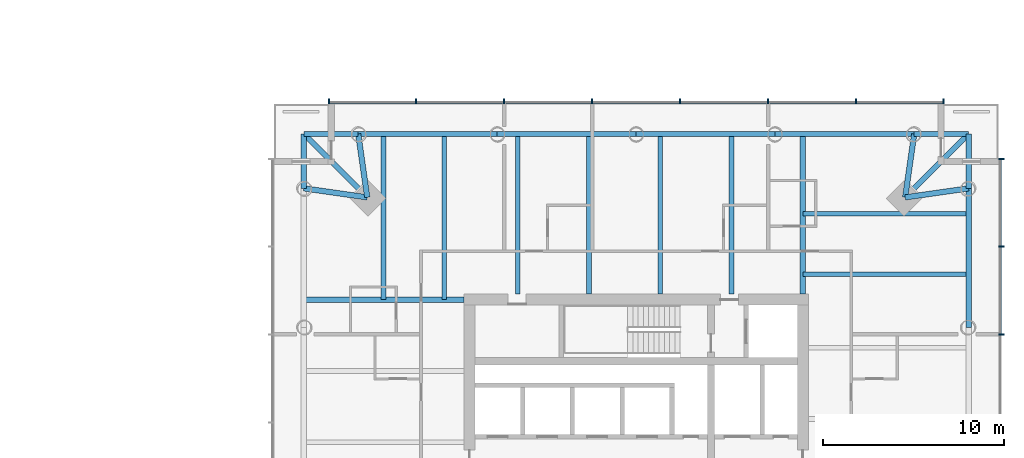
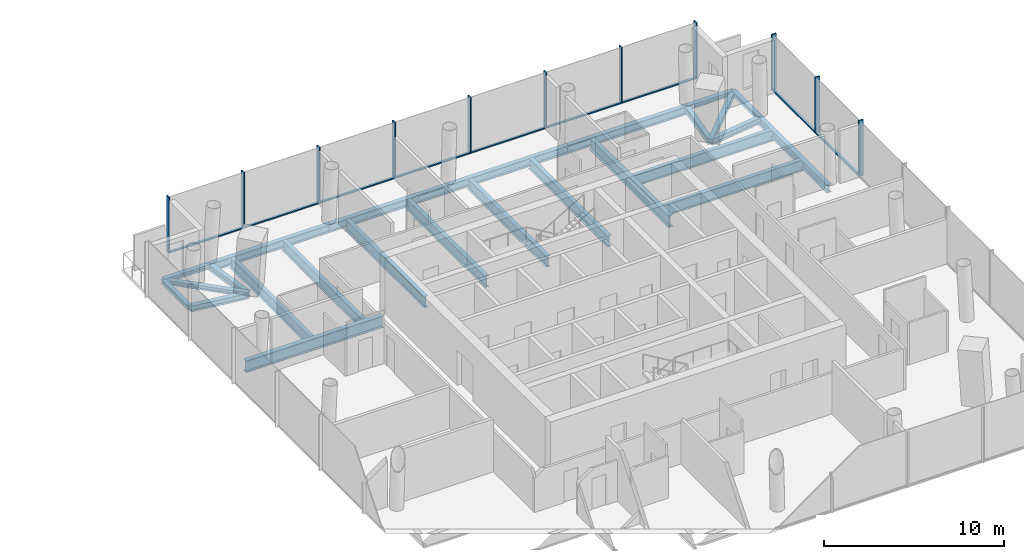
# One storey, part 6 of 26: 25 beams, 20 members, 2 elements without a shape of their own.
"""IFC4 building model written with IfcOpenShell, lengths in metres."""

from ifc_helpers import new_model, si_unit, direction, frame, origin, origin_2d, place, context, subcontext, project, spatial, rectangle, i_section, extrude, material, material_profile, profile_set, type_object, element, aggregate, save


model = new_model("IFC4")

# Units and contexts
model_context = context("Model", 3, precision=1e-05, world=origin(), true_north=direction((0.0, 1.0)))
body_context = subcontext(model_context, "Body", "Model", "MODEL_VIEW")
ifc_project = project(units=[si_unit("LENGTHUNIT", "METRE"), si_unit("AREAUNIT", "SQUARE_METRE"), si_unit("VOLUMEUNIT", "CUBIC_METRE"), si_unit("PLANEANGLEUNIT", "RADIAN"), si_unit("MASSUNIT", "GRAM", prefix="KILO")], contexts=[model_context])

# Site, building, storey
site_placement = place(None, origin())
site = spatial("IfcSite", under=ifc_project, at=site_placement, CompositionType="ELEMENT")
building_placement = place(site_placement, origin())
building = spatial("IfcBuilding", under=site, at=building_placement, Name="Ostroluk Exchange", CompositionType="ELEMENT")
storey_placement = place(building_placement, frame((0.0, 0.0, 36.199951171875)))
storey = spatial("IfcBuildingStorey", under=building, at=storey_placement, Name="L08", CompositionType="ELEMENT", Elevation=36.199951171875)

# Beams
ifc_material_1 = material(Name="Steel S355", Category="steel")
ifc_material_profile_1 = material_profile(ifc_material_1, i_section(OverallWidth=0.300048828125, OverallDepth=0.300048828125, WebThickness=0.010986328125, FlangeThickness=0.01904296875, FilletRadius=0.027099609375, at=origin_2d()), Name="HEB 300")
ifc_profile_set_1 = profile_set([ifc_material_profile_1], Name="Steel S355")
beam_type_1 = type_object("IfcBeamType", Name="Balcony beam HEB 300", PredefinedType="BEAM", material=ifc_profile_set_1)
for number, where, z_axis, x_axis, name in (
    (1, (135.3447265625, 61.3447265625, -0.349853515625), (0.0, 1.0, 0.0), (-1.0, 0.0, 0.0), "T2 east balcony beam a"),
    (2, (132.3447265625, 64.3447265625, -0.349853515625), (1.0, 0.0, 0.0), (0.0, 1.0, 0.0), "T2 east balcony beam b"),
):
    element("IfcBeam", number, at=place(storey_placement, frame(where, z_axis=z_axis, x_axis=x_axis)), inside=storey, type_object=beam_type_1, Name=name, PredefinedType="BEAM", context=body_context, shape_type="SweptSolid", body=[
        extrude(i_section(OverallWidth=0.300048828125, OverallDepth=0.300048828125, WebThickness=0.010986328125, FlangeThickness=0.01904296875, FilletRadius=0.027099609375, at=origin_2d()), origin(), (0.0, 0.0, 1.0), 3.0),
    ])
beam_1_placement = place(storey_placement, frame((131.8447265625, 60.8447265625, -0.349853515625), z_axis=(0.707106781187, 0.707106781187, 0.0), x_axis=(-0.707106781187, 0.707106781187, 0.0)))
element("IfcBeam", 3, at=beam_1_placement, inside=storey, type_object=beam_type_1, Name="T2 east balcony beam c", PredefinedType="BEAM", context=body_context, shape_type="SweptSolid", body=[
    extrude(i_section(OverallWidth=0.300048828125, OverallDepth=0.300048828125, WebThickness=0.010986328125, FlangeThickness=0.01904296875, FilletRadius=0.027099609375, at=origin_2d()), origin(), (0.0, 0.0, 1.0), 4.94970703125),
])
for number, where, z_axis, x_axis, name in (
    (4, (101.6552734375, 64.3447265625, -0.349853515625), (-1.0, 0.0, 0.0), (0.0, -1.0, 0.0), "T2 north balcony beam a"),
    (5, (98.6552734375, 61.3447265625, -0.349853515625), (0.0, 1.0, 0.0), (-1.0, 0.0, 0.0), "T2 north balcony beam b"),
):
    element("IfcBeam", number, at=place(storey_placement, frame(where, z_axis=z_axis, x_axis=x_axis)), inside=storey, type_object=beam_type_1, Name=name, PredefinedType="BEAM", context=body_context, shape_type="SweptSolid", body=[
        extrude(i_section(OverallWidth=0.300048828125, OverallDepth=0.300048828125, WebThickness=0.010986328125, FlangeThickness=0.01904296875, FilletRadius=0.027099609375, at=origin_2d()), origin(), (0.0, 0.0, 1.0), 3.0),
    ])
beam_2_placement = place(storey_placement, frame((102.1552734375, 60.8447265625, -0.349853515625), z_axis=(-0.707106781187, 0.707106781187, 0.0), x_axis=(-0.707106781187, -0.707106781187, 0.0)))
element("IfcBeam", 6, at=beam_2_placement, inside=storey, type_object=beam_type_1, Name="T2 north balcony beam c", PredefinedType="BEAM", context=body_context, shape_type="SweptSolid", body=[
    extrude(i_section(OverallWidth=0.300048828125, OverallDepth=0.300048828125, WebThickness=0.010986328125, FlangeThickness=0.01904296875, FilletRadius=0.027099609375, at=origin_2d()), origin(), (0.0, 0.0, 1.0), 4.94970703125),
])
ifc_material_2 = material(Name="Steel S355", Category="steel")
ifc_material_profile_2 = material_profile(ifc_material_2, i_section(OverallWidth=0.300048828125, OverallDepth=0.39990234375, WebThickness=0.013427734375, FlangeThickness=0.02392578125, FilletRadius=0.027099609375, at=origin_2d()), Name="HEB 400")
ifc_profile_set_2 = profile_set([ifc_material_profile_2], Name="Steel S355")
beam_type_2 = type_object("IfcBeamType", Name="Corner edge beam HEB 400", PredefinedType="SPANDREL", material=ifc_profile_set_2)
for number, where, z_axis, x_axis, name in (
    (7, (131.8447265625, 60.8447265625, -0.39990234375), (0.989949493661, 0.141421356237, 0.0), (-0.141421356237, 0.989949493661, 0.0), "T2 east corner edge beam a"),
    (8, (131.8447265625, 60.8447265625, -0.39990234375), (0.141421356237, 0.989949493661, 0.0), (-0.989949493661, 0.141421356237, 0.0), "T2 east corner edge beam b"),
    (9, (102.1552734375, 60.8447265625, -0.39990234375), (-0.141421356237, 0.989949493661, 0.0), (-0.989949493661, -0.141421356237, 0.0), "T2 north corner edge beam a"),
    (10, (102.1552734375, 60.8447265625, -0.39990234375), (-0.989949493661, 0.141421356237, 0.0), (-0.141421356237, -0.989949493661, 0.0), "T2 north corner edge beam b"),
):
    element("IfcBeam", number, at=place(storey_placement, frame(where, z_axis=z_axis, x_axis=x_axis)), inside=storey, type_object=beam_type_2, Name=name, PredefinedType="SPANDREL", context=body_context, shape_type="SweptSolid", body=[
        extrude(i_section(OverallWidth=0.300048828125, OverallDepth=0.39990234375, WebThickness=0.013427734375, FlangeThickness=0.02392578125, FilletRadius=0.027099609375, at=origin_2d()), origin(), (0.0, 0.0, 1.0), 3.53564453125),
    ])
ifc_material_3 = material(Name="Steel S355", Category="steel")
ifc_material_profile_3 = material_profile(ifc_material_3, i_section(OverallWidth=0.264892578125, OverallDepth=0.7529296875, WebThickness=0.01318359375, FlangeThickness=0.01708984375, FilletRadius=0.01708984375, at=origin_2d()), Name="IPE 750x147")
ifc_profile_set_3 = profile_set([ifc_material_profile_3], Name="Steel S355")
beam_type_3 = type_object("IfcBeamType", Name="Floor beam IPE 750x147", PredefinedType="BEAM", material=ifc_profile_set_3)
for number, where, z_axis, x_axis, name in (
    (11, (126.199951171875, 56.60009765625, -0.576416015625), (1.0, 0.0, 0.0), (0.0, 1.0, 0.0), "T2 east floor beam 5"),
    (12, (126.199951171875, 59.94482421875, -0.576416015625), (1.0, 0.0, 0.0), (0.0, 1.0, 0.0), "T2 east floor beam 6"),
):
    element("IfcBeam", number, at=place(storey_placement, frame(where, z_axis=z_axis, x_axis=x_axis)), inside=storey, type_object=beam_type_3, Name=name, PredefinedType="BEAM", context=body_context, shape_type="SweptSolid", body=[
        extrude(i_section(OverallWidth=0.264892578125, OverallDepth=0.7529296875, WebThickness=0.01318359375, FlangeThickness=0.01708984375, FilletRadius=0.01708984375, at=origin_2d()), origin(), (0.0, 0.0, 1.0), 9.144775390625),
    ])
for number, where, z_axis, x_axis, name in (
    (13, (122.26513671875, 55.5, -0.576416015625), (0.0, 1.0, 0.0), (-1.0, 0.0, 0.0), "T2 north floor beam 1"),
    (14, (118.330078125, 55.5, -0.576416015625), (0.0, 1.0, 0.0), (-1.0, 0.0, 0.0), "T2 north floor beam 2"),
    (15, (114.39501953125, 55.5, -0.576416015625), (0.0, 1.0, 0.0), (-1.0, 0.0, 0.0), "T2 north floor beam 3"),
    (16, (110.460205078125, 55.5, -0.576416015625), (0.0, 1.0, 0.0), (-1.0, 0.0, 0.0), "T2 north floor beam 4"),
):
    element("IfcBeam", number, at=place(storey_placement, frame(where, z_axis=z_axis, x_axis=x_axis)), inside=storey, type_object=beam_type_3, Name=name, PredefinedType="BEAM", context=body_context, shape_type="SweptSolid", body=[
        extrude(i_section(OverallWidth=0.264892578125, OverallDepth=0.7529296875, WebThickness=0.01318359375, FlangeThickness=0.01708984375, FilletRadius=0.01708984375, at=origin_2d()), origin(), (0.0, 0.0, 1.0), 8.8447265625),
    ])
for number, where, z_axis, x_axis, name in (
    (17, (106.39990234375, 55.199951171875, -0.576416015625), (0.0, 1.0, 0.0), (-1.0, 0.0, 0.0), "T2 north floor beam 5"),
    (18, (103.05517578125, 55.199951171875, -0.576416015625), (0.0, 1.0, 0.0), (-1.0, 0.0, 0.0), "T2 north floor beam 6"),
):
    element("IfcBeam", number, at=place(storey_placement, frame(where, z_axis=z_axis, x_axis=x_axis)), inside=storey, type_object=beam_type_3, Name=name, PredefinedType="BEAM", context=body_context, shape_type="SweptSolid", body=[
        extrude(i_section(OverallWidth=0.264892578125, OverallDepth=0.7529296875, WebThickness=0.01318359375, FlangeThickness=0.01708984375, FilletRadius=0.01708984375, at=origin_2d()), origin(), (0.0, 0.0, 1.0), 9.144775390625),
    ])
ifc_material_4 = material(Name="Steel S355", Category="steel")
ifc_material_profile_4 = material_profile(ifc_material_4, i_section(OverallWidth=0.300048828125, OverallDepth=0.800048828125, WebThickness=0.017578125, FlangeThickness=0.032958984375, FilletRadius=0.030029296875, at=origin_2d()), Name="HEB 800")
ifc_profile_set_4 = profile_set([ifc_material_profile_4], Name="Steel S355")
beam_type_4 = type_object("IfcBeamType", Name="Girder HEB 800", PredefinedType="BEAM", material=ifc_profile_set_4)
for number, where, z_axis, x_axis, name in (
    (19, (126.199951171875, 55.5, -0.599853515625), (0.0, 1.0, 0.0), (-1.0, 0.0, 0.0), "T2 east girder"),
    (20, (107.5, 55.199951171875, -0.599853515625), (-1.0, 0.0, 0.0), (0.0, -1.0, 0.0), "T2 north girder"),
):
    element("IfcBeam", number, at=place(storey_placement, frame(where, z_axis=z_axis, x_axis=x_axis)), inside=storey, type_object=beam_type_4, Name=name, PredefinedType="BEAM", context=body_context, shape_type="SweptSolid", body=[
        extrude(i_section(OverallWidth=0.300048828125, OverallDepth=0.800048828125, WebThickness=0.017578125, FlangeThickness=0.032958984375, FilletRadius=0.030029296875, at=origin_2d()), origin(), (0.0, 0.0, 1.0), 8.8447265625),
    ])
ifc_material_5 = material(Name="Steel S355", Category="steel")
ifc_material_profile_5 = material_profile(ifc_material_5, i_section(OverallWidth=0.300048828125, OverallDepth=0.550048828125, WebThickness=0.014892578125, FlangeThickness=0.029052734375, FilletRadius=0.027099609375, at=origin_2d()), Name="HEB 550")
ifc_profile_set_5 = profile_set([ifc_material_profile_5], Name="Steel S355")
beam_type_5 = type_object("IfcBeamType", Name="Moment-connected edge beam HEB 550", PredefinedType="SPANDREL", material=ifc_profile_set_5)
for number, where, z_axis, x_axis, name in (
    (21, (135.3447265625, 53.67236328125, -0.474853515625), (0.0, 1.0, 0.0), (-1.0, 0.0, 0.0), "T2 east edge beam 4"),
    (22, (132.3447265625, 64.3447265625, -0.474853515625), (-1.0, 0.0, 0.0), (0.0, -1.0, 0.0), "T2 north edge beam 1"),
    (23, (124.67236328125, 64.3447265625, -0.474853515625), (-1.0, 0.0, 0.0), (0.0, -1.0, 0.0), "T2 north edge beam 2"),
    (24, (117.0, 64.3447265625, -0.474853515625), (-1.0, 0.0, 0.0), (0.0, -1.0, 0.0), "T2 north edge beam 3"),
    (25, (109.32763671875, 64.3447265625, -0.474853515625), (-1.0, 0.0, 0.0), (0.0, -1.0, 0.0), "T2 north edge beam 4"),
):
    element("IfcBeam", number, at=place(storey_placement, frame(where, z_axis=z_axis, x_axis=x_axis)), inside=storey, type_object=beam_type_5, Name=name, PredefinedType="SPANDREL", context=body_context, shape_type="SweptSolid", body=[
        extrude(i_section(OverallWidth=0.300048828125, OverallDepth=0.550048828125, WebThickness=0.014892578125, FlangeThickness=0.029052734375, FilletRadius=0.027099609375, at=origin_2d()), origin(), (0.0, 0.0, 1.0), 7.67236328125),
    ])

# Curtain wall, members
ifc_material_6 = material(Name="Laminated clear glass", Category="glass")
curtain_wall_type = type_object("IfcCurtainWallType", Name="Hotel guest floor facade", PredefinedType="USERDEFINED", material=ifc_material_6)
curtain_wall_1_placement = place(storey_placement, origin())
curtain_wall_1 = element("IfcCurtainWall", 26, at=curtain_wall_1_placement, inside=storey, type_object=curtain_wall_type, Name="Hotel tower east facade L08", ObjectType="UNITISED CURTAIN WALL", PredefinedType="USERDEFINED")
ifc_material_7 = material(Name="Aluminium mullion", Category="aluminium")
ifc_material_profile_6 = material_profile(ifc_material_7, rectangle(XDim=0.14990234375, YDim=0.080078125, at=origin_2d()), Name="Sill transom 80 x 150")
ifc_profile_set_6 = profile_set([ifc_material_profile_6], Name="Aluminium mullion")
member_type_1 = type_object("IfcMemberType", Name="Sill transom 80 x 150", PredefinedType="USERDEFINED", material=ifc_profile_set_6)
member_1_placement = place(storey_placement, frame((137.074951171875, 53.32568359375, 0.0400390625), z_axis=(0.0, 1.0, 0.0), x_axis=(-1.0, 0.0, 0.0)))
member_1 = element("IfcMember", 27, at=member_1_placement, type_object=member_type_1, Name="CW-H1 transom 6.1", ObjectType="TRANSOM", PredefinedType="USERDEFINED", context=body_context, shape_type="SweptSolid", body=[
    extrude(rectangle(XDim=0.14990234375, YDim=0.080078125, at=origin_2d()), origin(), (0.0, 0.0, 1.0), 4.777099609375),
])
member_2_placement = place(storey_placement, frame((137.074951171875, 58.182861328125, 0.0400390625), z_axis=(0.0, 1.0, 0.0), x_axis=(-1.0, 0.0, 0.0)))
member_2 = element("IfcMember", 28, at=member_2_placement, type_object=member_type_1, Name="CW-H1 transom 7.1", ObjectType="TRANSOM", PredefinedType="USERDEFINED", context=body_context, shape_type="SweptSolid", body=[
    extrude(rectangle(XDim=0.14990234375, YDim=0.080078125, at=origin_2d()), origin(), (0.0, 0.0, 1.0), 4.737060546875),
])

curtain_wall_2_placement = place(storey_placement, origin())
curtain_wall_2 = element("IfcCurtainWall", 29, at=curtain_wall_2_placement, inside=storey, type_object=curtain_wall_type, Name="Hotel tower north facade L08", ObjectType="UNITISED CURTAIN WALL", PredefinedType="USERDEFINED")
member_3_placement = place(storey_placement, frame((133.919921875, 66.074951171875, 0.0400390625), z_axis=(-1.0, 0.0, 0.0), x_axis=(0.0, -1.0, 0.0)))
member_3 = element("IfcMember", 30, at=member_3_placement, type_object=member_type_1, Name="CW-H1 transom 1.1", ObjectType="TRANSOM", PredefinedType="USERDEFINED", context=body_context, shape_type="SweptSolid", body=[
    extrude(rectangle(XDim=0.14990234375, YDim=0.080078125, at=origin_2d()), origin(), (0.0, 0.0, 1.0), 4.737060546875),
])
member_4_placement = place(storey_placement, frame((129.102783203125, 66.074951171875, 0.0400390625), z_axis=(-1.0, 0.0, 0.0), x_axis=(0.0, -1.0, 0.0)))
member_4 = element("IfcMember", 31, at=member_4_placement, type_object=member_type_1, Name="CW-H1 transom 2.1", ObjectType="TRANSOM", PredefinedType="USERDEFINED", context=body_context, shape_type="SweptSolid", body=[
    extrude(rectangle(XDim=0.14990234375, YDim=0.080078125, at=origin_2d()), origin(), (0.0, 0.0, 1.0), 4.777099609375),
])
member_5_placement = place(storey_placement, frame((124.24560546875, 66.074951171875, 0.0400390625), z_axis=(-1.0, 0.0, 0.0), x_axis=(0.0, -1.0, 0.0)))
member_5 = element("IfcMember", 32, at=member_5_placement, type_object=member_type_1, Name="CW-H1 transom 3.1", ObjectType="TRANSOM", PredefinedType="USERDEFINED", context=body_context, shape_type="SweptSolid", body=[
    extrude(rectangle(XDim=0.14990234375, YDim=0.080078125, at=origin_2d()), origin(), (0.0, 0.0, 1.0), 4.777099609375),
])
member_6_placement = place(storey_placement, frame((119.388671875, 66.074951171875, 0.0400390625), z_axis=(-1.0, 0.0, 0.0), x_axis=(0.0, -1.0, 0.0)))
member_6 = element("IfcMember", 33, at=member_6_placement, type_object=member_type_1, Name="CW-H1 transom 4.1", ObjectType="TRANSOM", PredefinedType="USERDEFINED", context=body_context, shape_type="SweptSolid", body=[
    extrude(rectangle(XDim=0.14990234375, YDim=0.080078125, at=origin_2d()), origin(), (0.0, 0.0, 1.0), 4.77734375),
])
member_7_placement = place(storey_placement, frame((114.531494140625, 66.074951171875, 0.0400390625), z_axis=(-1.0, 0.0, 0.0), x_axis=(0.0, -1.0, 0.0)))
member_7 = element("IfcMember", 34, at=member_7_placement, type_object=member_type_1, Name="CW-H1 transom 5.1", ObjectType="TRANSOM", PredefinedType="USERDEFINED", context=body_context, shape_type="SweptSolid", body=[
    extrude(rectangle(XDim=0.14990234375, YDim=0.080078125, at=origin_2d()), origin(), (0.0, 0.0, 1.0), 4.777099609375),
])
member_8_placement = place(storey_placement, frame((109.67431640625, 66.074951171875, 0.0400390625), z_axis=(-1.0, 0.0, 0.0), x_axis=(0.0, -1.0, 0.0)))
member_8 = element("IfcMember", 35, at=member_8_placement, type_object=member_type_1, Name="CW-H1 transom 6.1", ObjectType="TRANSOM", PredefinedType="USERDEFINED", context=body_context, shape_type="SweptSolid", body=[
    extrude(rectangle(XDim=0.14990234375, YDim=0.080078125, at=origin_2d()), origin(), (0.0, 0.0, 1.0), 4.777099609375),
])
member_9_placement = place(storey_placement, frame((104.817138671875, 66.074951171875, 0.0400390625), z_axis=(-1.0, 0.0, 0.0), x_axis=(0.0, -1.0, 0.0)))
member_9 = element("IfcMember", 36, at=member_9_placement, type_object=member_type_1, Name="CW-H1 transom 7.1", ObjectType="TRANSOM", PredefinedType="USERDEFINED", context=body_context, shape_type="SweptSolid", body=[
    extrude(rectangle(XDim=0.14990234375, YDim=0.080078125, at=origin_2d()), origin(), (0.0, 0.0, 1.0), 4.737060546875),
])

# Member
ifc_material_8 = material(Name="Aluminium mullion with limestone facing", Category="masonry")
ifc_material_profile_7 = material_profile(ifc_material_8, rectangle(XDim=0.300048828125, YDim=0.080078125, at=origin_2d()), Name="Tracery mullion 80 x 300")
ifc_profile_set_7 = profile_set([ifc_material_profile_7], Name="Aluminium mullion with limestone facing")
member_type_2 = type_object("IfcMemberType", Name="Tracery mullion 80 x 300", PredefinedType="MULLION", material=ifc_profile_set_7)
member_10_placement = place(storey_placement, frame((137.14990234375, 53.28564453125, 0.0), z_axis=(0.0, 0.0, 1.0), x_axis=(-1.0, 0.0, 0.0)))
member_10 = element("IfcMember", 37, at=member_10_placement, type_object=member_type_2, Name="CW-H1 mullion 6", PredefinedType="MULLION", context=body_context, shape_type="SweptSolid", body=[
    extrude(rectangle(XDim=0.300048828125, YDim=0.080078125, at=origin_2d()), origin(), (0.0, 0.0, 1.0), 3.800048828125),
])

member_11_placement = place(storey_placement, frame((137.14990234375, 58.142822265625, 0.0), z_axis=(0.0, 0.0, 1.0), x_axis=(-1.0, 0.0, 0.0)))
member_11 = element("IfcMember", 38, at=member_11_placement, type_object=member_type_2, Name="CW-H1 mullion 7", PredefinedType="MULLION", context=body_context, shape_type="SweptSolid", body=[
    extrude(rectangle(XDim=0.300048828125, YDim=0.080078125, at=origin_2d()), origin(), (0.0, 0.0, 1.0), 3.800048828125),
])

member_12_placement = place(storey_placement, frame((137.14990234375, 62.9599609375, 0.0), z_axis=(0.0, 0.0, 1.0), x_axis=(-1.0, 0.0, 0.0)))
member_12 = element("IfcMember", 39, at=member_12_placement, type_object=member_type_2, Name="CW-H1 mullion 8", PredefinedType="MULLION", context=body_context, shape_type="SweptSolid", body=[
    extrude(rectangle(XDim=0.300048828125, YDim=0.080078125, at=origin_2d()), origin(), (0.0, 0.0, 1.0), 3.800048828125),
])

aggregate(curtain_wall_1, [member_10, member_11, member_12, member_1, member_2])

member_13_placement = place(storey_placement, frame((133.9599609375, 66.14990234375, 0.0), z_axis=(0.0, 0.0, 1.0), x_axis=(0.0, -1.0, 0.0)))
member_13 = element("IfcMember", 40, at=member_13_placement, type_object=member_type_2, Name="CW-H1 mullion 1", PredefinedType="MULLION", context=body_context, shape_type="SweptSolid", body=[
    extrude(rectangle(XDim=0.300048828125, YDim=0.080078125, at=origin_2d()), origin(), (0.0, 0.0, 1.0), 3.800048828125),
])

member_14_placement = place(storey_placement, frame((129.142822265625, 66.14990234375, 0.0), z_axis=(0.0, 0.0, 1.0), x_axis=(0.0, -1.0, 0.0)))
member_14 = element("IfcMember", 41, at=member_14_placement, type_object=member_type_2, Name="CW-H1 mullion 2", PredefinedType="MULLION", context=body_context, shape_type="SweptSolid", body=[
    extrude(rectangle(XDim=0.300048828125, YDim=0.080078125, at=origin_2d()), origin(), (0.0, 0.0, 1.0), 3.800048828125),
])

member_15_placement = place(storey_placement, frame((124.28564453125, 66.14990234375, 0.0), z_axis=(0.0, 0.0, 1.0), x_axis=(0.0, -1.0, 0.0)))
member_15 = element("IfcMember", 42, at=member_15_placement, type_object=member_type_2, Name="CW-H1 mullion 3", PredefinedType="MULLION", context=body_context, shape_type="SweptSolid", body=[
    extrude(rectangle(XDim=0.300048828125, YDim=0.080078125, at=origin_2d()), origin(), (0.0, 0.0, 1.0), 3.800048828125),
])

member_16_placement = place(storey_placement, frame((119.428466796875, 66.14990234375, 0.0), z_axis=(0.0, 0.0, 1.0), x_axis=(0.0, -1.0, 0.0)))
member_16 = element("IfcMember", 43, at=member_16_placement, type_object=member_type_2, Name="CW-H1 mullion 4", PredefinedType="MULLION", context=body_context, shape_type="SweptSolid", body=[
    extrude(rectangle(XDim=0.300048828125, YDim=0.080078125, at=origin_2d()), origin(), (0.0, 0.0, 1.0), 3.800048828125),
])

member_17_placement = place(storey_placement, frame((114.571533203125, 66.14990234375, 0.0), z_axis=(0.0, 0.0, 1.0), x_axis=(0.0, -1.0, 0.0)))
member_17 = element("IfcMember", 44, at=member_17_placement, type_object=member_type_2, Name="CW-H1 mullion 5", PredefinedType="MULLION", context=body_context, shape_type="SweptSolid", body=[
    extrude(rectangle(XDim=0.300048828125, YDim=0.080078125, at=origin_2d()), origin(), (0.0, 0.0, 1.0), 3.800048828125),
])

member_18_placement = place(storey_placement, frame((109.71435546875, 66.14990234375, 0.0), z_axis=(0.0, 0.0, 1.0), x_axis=(0.0, -1.0, 0.0)))
member_18 = element("IfcMember", 45, at=member_18_placement, type_object=member_type_2, Name="CW-H1 mullion 6", PredefinedType="MULLION", context=body_context, shape_type="SweptSolid", body=[
    extrude(rectangle(XDim=0.300048828125, YDim=0.080078125, at=origin_2d()), origin(), (0.0, 0.0, 1.0), 3.800048828125),
])

member_19_placement = place(storey_placement, frame((104.857177734375, 66.14990234375, 0.0), z_axis=(0.0, 0.0, 1.0), x_axis=(0.0, -1.0, 0.0)))
member_19 = element("IfcMember", 46, at=member_19_placement, type_object=member_type_2, Name="CW-H1 mullion 7", PredefinedType="MULLION", context=body_context, shape_type="SweptSolid", body=[
    extrude(rectangle(XDim=0.300048828125, YDim=0.080078125, at=origin_2d()), origin(), (0.0, 0.0, 1.0), 3.800048828125),
])

member_20_placement = place(storey_placement, frame((100.0400390625, 66.14990234375, 0.0), z_axis=(0.0, 0.0, 1.0), x_axis=(0.0, -1.0, 0.0)))
member_20 = element("IfcMember", 47, at=member_20_placement, type_object=member_type_2, Name="CW-H1 mullion 8", PredefinedType="MULLION", context=body_context, shape_type="SweptSolid", body=[
    extrude(rectangle(XDim=0.300048828125, YDim=0.080078125, at=origin_2d()), origin(), (0.0, 0.0, 1.0), 3.800048828125),
])

aggregate(curtain_wall_2, [member_13, member_14, member_15, member_16, member_17, member_18, member_19, member_20, member_3, member_4, member_5, member_6, member_7, member_8, member_9])

save(model, "model.ifc")
